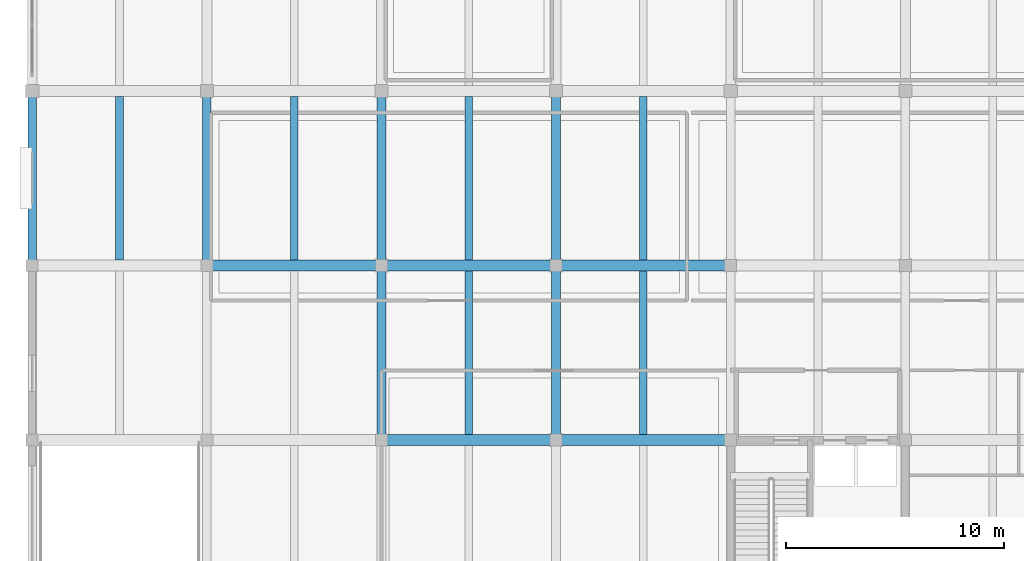
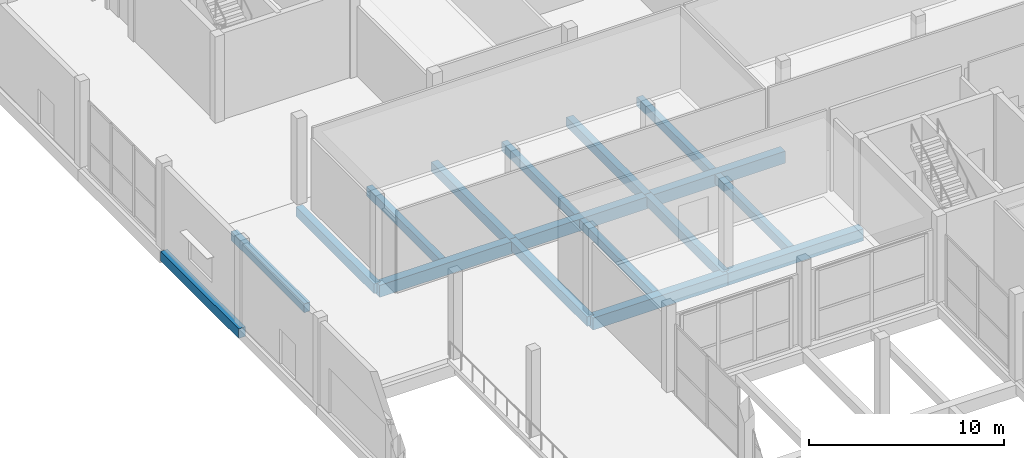
# One storey, part 7 of 41: 17 beams.
"""IFC4 building model written with IfcOpenShell, lengths in metres."""

from ifc_helpers import new_model, si_unit, direction, frame, origin, origin_2d, place, context, subcontext, project, spatial, rectangle, extrude, material, material_profile, profile_set, type_object, element, save


model = new_model("IFC4")

# Units and contexts
model_context = context("Model", 3, precision=1e-05, world=origin(), true_north=direction((0.0, 1.0)))
body_context = subcontext(model_context, "Body", "Model", "MODEL_VIEW")
ifc_project = project(units=[si_unit("LENGTHUNIT", "METRE"), si_unit("AREAUNIT", "SQUARE_METRE"), si_unit("VOLUMEUNIT", "CUBIC_METRE"), si_unit("PLANEANGLEUNIT", "RADIAN"), si_unit("MASSUNIT", "GRAM", prefix="KILO")], contexts=[model_context])

# Site, building, storey
site_placement = place(None, origin())
site = spatial("IfcSite", under=ifc_project, at=site_placement, CompositionType="ELEMENT")
building_placement = place(site_placement, origin())
building = spatial("IfcBuilding", under=site, at=building_placement, Name="Vharandega Faculty of Natural Sciences", CompositionType="ELEMENT")
storey_placement = place(building_placement, origin())
storey = spatial("IfcBuildingStorey", under=building, at=storey_placement, Name="L00", CompositionType="ELEMENT", Elevation=0.0)

# Beams
ifc_material_1 = material(Name="Concrete C40/50", Category="concrete")
ifc_material_profile_1 = material_profile(ifc_material_1, rectangle(XDim=0.5, YDim=0.75, at=origin_2d()), Name="RC 500x750")
ifc_profile_set_1 = profile_set([ifc_material_profile_1], Name="Concrete C40/50")
beam_type_1 = type_object("IfcBeamType", Name="Podium Primary Beam 500x750", PredefinedType="BEAM", material=ifc_profile_set_1)
for number, where, z_axis, x_axis, name in (
    (1, (16.0, 48.0, -0.675048828125), (1.0, 0.0, 0.0), (0.0, 1.0, 0.0), "Beam L00 G/3-4"),
    (2, (24.0, 48.0, -0.675048828125), (1.0, 0.0, 0.0), (0.0, 1.0, 0.0), "Beam L00 G/4-5"),
    (3, (8.0, 56.0, -0.675048828125), (1.0, 0.0, 0.0), (0.0, 1.0, 0.0), "Beam L00 H/2-3"),
    (4, (16.0, 56.0, -0.675048828125), (1.0, 0.0, 0.0), (0.0, 1.0, 0.0), "Beam L00 H/3-4"),
    (5, (24.0, 56.0, -0.675048828125), (1.0, 0.0, 0.0), (0.0, 1.0, 0.0), "Beam L00 H/4-5"),
):
    element("IfcBeam", number, at=place(storey_placement, frame(where, z_axis=z_axis, x_axis=x_axis)), inside=storey, type_object=beam_type_1, Name=name, PredefinedType="BEAM", context=body_context, shape_type="SweptSolid", body=[
        extrude(rectangle(XDim=0.5, YDim=0.75, at=origin_2d()), origin(), (0.0, 0.0, 1.0), 8.0),
    ])
ifc_material_2 = material(Name="Concrete C40/50", Category="concrete")
ifc_material_profile_2 = material_profile(ifc_material_2, rectangle(XDim=0.39990234375, YDim=0.60009765625, at=origin_2d()), Name="RC 400x600")
ifc_profile_set_2 = profile_set([ifc_material_profile_2], Name="Concrete C40/50")
beam_type_2 = type_object("IfcBeamType", Name="Podium Rib Beam 400x600", PredefinedType="BEAM", material=ifc_profile_set_2)
for number, where, z_axis, x_axis, name in (
    (6, (0.0, 56.0, -0.60009765625), (0.0, 1.0, 0.0), (-1.0, 0.0, 0.0), "Beam L00 1/H-J"),
    (7, (8.0, 56.0, -0.60009765625), (0.0, 1.0, 0.0), (-1.0, 0.0, 0.0), "Beam L00 2/H-J"),
    (8, (16.0, 48.0, -0.60009765625), (0.0, 1.0, 0.0), (-1.0, 0.0, 0.0), "Beam L00 3/G-H"),
    (9, (16.0, 56.0, -0.60009765625), (0.0, 1.0, 0.0), (-1.0, 0.0, 0.0), "Beam L00 3/H-J"),
    (10, (24.0, 48.0, -0.60009765625), (0.0, 1.0, 0.0), (-1.0, 0.0, 0.0), "Beam L00 4/G-H"),
    (11, (24.0, 56.0, -0.60009765625), (0.0, 1.0, 0.0), (-1.0, 0.0, 0.0), "Beam L00 4/H-J"),
):
    element("IfcBeam", number, at=place(storey_placement, frame(where, z_axis=z_axis, x_axis=x_axis)), inside=storey, type_object=beam_type_2, Name=name, PredefinedType="BEAM", context=body_context, shape_type="SweptSolid", body=[
        extrude(rectangle(XDim=0.39990234375, YDim=0.60009765625, at=origin_2d()), origin(), (0.0, 0.0, 1.0), 8.0),
    ])
ifc_material_3 = material(Name="Concrete C40/50", Category="concrete")
ifc_material_profile_3 = material_profile(ifc_material_3, rectangle(XDim=0.35009765625, YDim=0.550048828125, at=origin_2d()), Name="RC 350x550")
ifc_profile_set_3 = profile_set([ifc_material_profile_3], Name="Concrete C40/50")
beam_type_3 = type_object("IfcBeamType", Name="Podium Secondary Beam 350x550", PredefinedType="JOIST", material=ifc_profile_set_3)
for number, where, z_axis, x_axis, name in (
    (12, (4.0, 56.25, -0.574951171875), (0.0, 1.0, 0.0), (-1.0, 0.0, 0.0), "Secondary Joist L00 1-2/H-J"),
    (13, (12.0, 56.25, -0.574951171875), (0.0, 1.0, 0.0), (-1.0, 0.0, 0.0), "Secondary Joist L00 2-3/H-J"),
    (14, (20.0, 48.25, -0.574951171875), (0.0, 1.0, 0.0), (-1.0, 0.0, 0.0), "Secondary Joist L00 3-4/G-H"),
    (15, (20.0, 56.25, -0.574951171875), (0.0, 1.0, 0.0), (-1.0, 0.0, 0.0), "Secondary Joist L00 3-4/H-J"),
    (16, (28.0, 48.25, -0.574951171875), (0.0, 1.0, 0.0), (-1.0, 0.0, 0.0), "Secondary Joist L00 4-5/G-H"),
    (17, (28.0, 56.25, -0.574951171875), (0.0, 1.0, 0.0), (-1.0, 0.0, 0.0), "Secondary Joist L00 4-5/H-J"),
):
    element("IfcBeam", number, at=place(storey_placement, frame(where, z_axis=z_axis, x_axis=x_axis)), inside=storey, type_object=beam_type_3, Name=name, PredefinedType="JOIST", context=body_context, shape_type="SweptSolid", body=[
        extrude(rectangle(XDim=0.35009765625, YDim=0.550048828125, at=origin_2d()), origin(), (0.0, 0.0, 1.0), 7.5),
    ])

save(model, "model.ifc")
